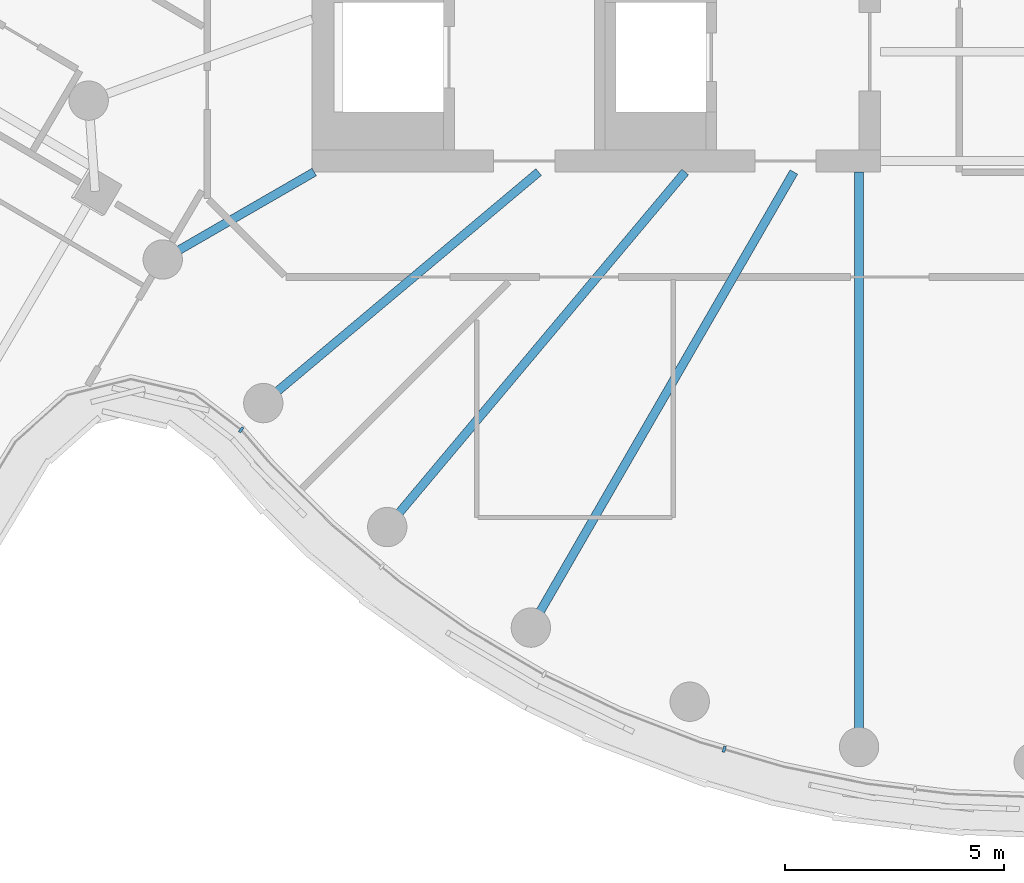
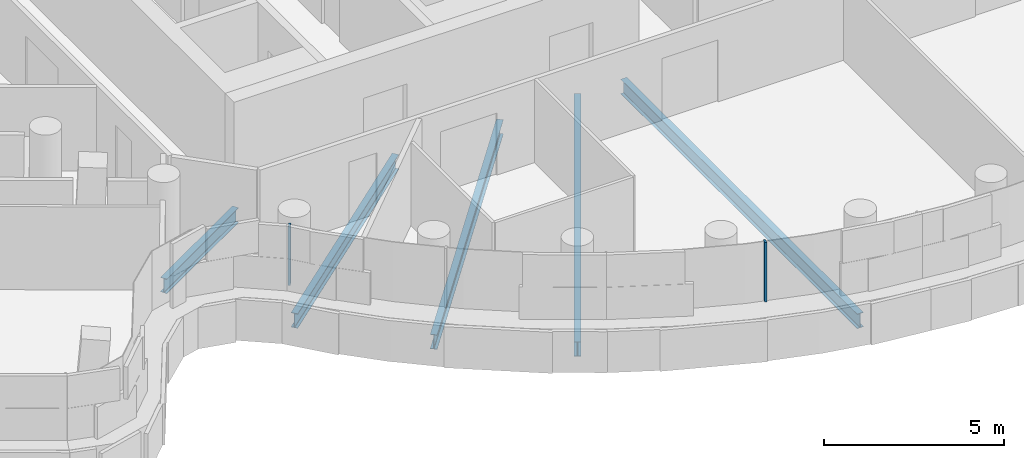
# One storey, part 3 of 26: 5 beams, 2 members, 1 element without a shape of its own.
"""IFC4 building model written with IfcOpenShell, lengths in metres."""

import ifcopenshell
import ifcopenshell.guid

model = None  # the IFC model being written
_history = None  # IfcOwnerHistory: only IFC2X3 demands one
_inside = {}  # id of a spatial element -> (the spatial element, [elements in it])
_under = {}  # id of a project, library or spatial element -> (it, [spatial elements below it])
_declared = {}  # id of a project -> (the project, [libraries it declares])
_typed = {}  # id of a type object -> (the type object, [elements of that type])
_made_of = {}  # id of a material, layer set ... -> (it, [elements and type objects made of it])


def new_model(schema):
    """Start an empty IFC model of exactly this schema.

    Asked for "IFC4X3", IfcOpenShell would pick the latest addendum, in which some entities
    have other attributes; the version numbers below select the first issue.
    IFC2X3 requires an IfcOwnerHistory on every rooted entity: one is made here for all.
    """
    global model, _history
    if schema == "IFC4X3":
        model = ifcopenshell.file(schema_version=(4, 3, 0, 0))
    else:
        model = ifcopenshell.file(schema=schema)
    _inside.clear()
    _under.clear()
    _declared.clear()
    _typed.clear()
    _made_of.clear()
    _history = None
    if model.schema == "IFC2X3":
        org = make("IfcOrganization", Name="unknown")
        user = make(
            "IfcPersonAndOrganization",
            ThePerson=make("IfcPerson", FamilyName="unknown"),
            TheOrganization=org,
        )
        app = make(
            "IfcApplication",
            ApplicationDeveloper=org,
            Version="unknown",
            ApplicationFullName="unknown",
            ApplicationIdentifier="unknown",
        )
        _history = make(
            "IfcOwnerHistory",
            OwningUser=user,
            OwningApplication=app,
            ChangeAction="ADDED",
            CreationDate=0,
        )
    return model


def make(cls, **values):
    """One entity of the class cls with the attributes given. An attribute that is None is left unset."""
    return model.create_entity(
        cls, **{name: value for name, value in values.items() if value is not None}
    )


def rooted(cls, **values):
    """An entity with a GlobalId (a new one), such as an element, a storey or a relation."""
    return make(cls, GlobalId=ifcopenshell.guid.new(), OwnerHistory=_history, **values)


def si_unit(unit_type, name, prefix=None):
    """IfcSIUnit, for example si_unit("LENGTHUNIT", "METRE", prefix="MILLI")."""
    return make("IfcSIUnit", UnitType=unit_type, Prefix=prefix, Name=name)


def assignment(units):
    """IfcUnitAssignment: the units of a project."""
    return None if units is None else make("IfcUnitAssignment", Units=units)


def point(xyz):
    """IfcCartesianPoint."""
    return None if xyz is None else make("IfcCartesianPoint", Coordinates=xyz)


def direction(xyz):
    """IfcDirection."""
    return None if xyz is None else make("IfcDirection", DirectionRatios=xyz)


def frame(location, z_axis=None, x_axis=None):
    """IfcAxis2Placement3D, a coordinate frame: its origin and axes. An axis left out is left unset."""
    return make(
        "IfcAxis2Placement3D",
        Location=point(location),
        Axis=direction(z_axis),
        RefDirection=direction(x_axis),
    )


def frame_2d(location, x_axis=None):
    """IfcAxis2Placement2D, a coordinate frame in the plane: its origin and x axis."""
    return make(
        "IfcAxis2Placement2D", Location=point(location), RefDirection=direction(x_axis)
    )


def origin():
    """The frame at (0, 0, 0) with its axes left unset."""
    return frame((0.0, 0.0, 0.0))


def origin_2d():
    """The frame at (0, 0) in the plane with its x axis left unset."""
    return frame_2d((0.0, 0.0))


def place(relative_to, where):
    """IfcLocalPlacement: puts the frame where relative to a parent placement (None: the world)."""
    return make(
        "IfcLocalPlacement", PlacementRelTo=relative_to, RelativePlacement=where
    )


def context(
    kind, dimensions, precision=None, world=None, true_north=None, identifier=None
):
    """IfcGeometricRepresentationContext, for example the 3D "Model" context."""
    return make(
        "IfcGeometricRepresentationContext",
        ContextIdentifier=identifier,
        ContextType=kind,
        CoordinateSpaceDimension=dimensions,
        Precision=precision,
        WorldCoordinateSystem=world,
        TrueNorth=true_north,
    )


def subcontext(parent, identifier, kind, view, scale=None):
    """IfcGeometricRepresentationSubContext, for example "Body" below "Model"."""
    return make(
        "IfcGeometricRepresentationSubContext",
        ContextIdentifier=identifier,
        ContextType=kind,
        ParentContext=parent,
        TargetScale=scale,
        TargetView=view,
    )


def project(units=None, contexts=None):
    """IfcProject with its units and contexts."""
    return rooted(
        "IfcProject",
        Name="project",
        RepresentationContexts=contexts,
        UnitsInContext=assignment(units),
    )


def spatial(cls, under=None, at=None, **own):
    """A site, building, storey or space (cls), placed at a placement, below another one or the project."""
    s = rooted(cls, ObjectPlacement=at, **own)
    if under is not None:
        _under.setdefault(under.id(), (under, []))[1].append(s)
    return s


def profile(cls, at=None, kind="AREA", **sizes):
    """A parametric profile (cls). Its sizes go by their IFC names, for example OverallWidth=200.0."""
    return make(cls, ProfileType=kind, Position=at, **sizes)


def rectangle(**sizes):
    """IfcRectangleProfileDef."""
    return profile("IfcRectangleProfileDef", **sizes)


def i_section(**sizes):
    """IfcIShapeProfileDef."""
    return profile("IfcIShapeProfileDef", **sizes)


def extrude(swept, where, along, depth):
    """IfcExtrudedAreaSolid: the profile swept, set in the frame where, extruded along a direction by depth."""
    return make(
        "IfcExtrudedAreaSolid",
        SweptArea=swept,
        Position=where,
        ExtrudedDirection=direction(along),
        Depth=depth,
    )


def shape(context_of_items, identifier, shape_type, items):
    """IfcShapeRepresentation: the items that make up one representation, for example the "Body"."""
    return make(
        "IfcShapeRepresentation",
        ContextOfItems=context_of_items,
        RepresentationIdentifier=identifier,
        RepresentationType=shape_type,
        Items=items,
    )


def material(Name=None, Category=None):
    """IfcMaterial."""
    return make("IfcMaterial", Name=Name, Category=Category)


def layer(
    of_material, thickness, ventilated=None, Name=None, Category=None, Priority=None
):
    """IfcMaterialLayer: one layer of a wall or slab, of a material (None: an air gap)."""
    return make(
        "IfcMaterialLayer",
        Material=of_material,
        LayerThickness=thickness,
        IsVentilated=ventilated,
        Name=Name,
        Category=Category,
        Priority=Priority,
    )


def layer_set(layers, Name=None):
    """IfcMaterialLayerSet."""
    return make("IfcMaterialLayerSet", MaterialLayers=layers, LayerSetName=Name)


def material_profile(
    of_material, cross_section, Name=None, Category=None, Priority=None
):
    """IfcMaterialProfile: a cross section and its material."""
    return make(
        "IfcMaterialProfile",
        Name=Name,
        Material=of_material,
        Profile=cross_section,
        Priority=Priority,
        Category=Category,
    )


def profile_set(profiles, Name=None, composite=None):
    """IfcMaterialProfileSet."""
    return make(
        "IfcMaterialProfileSet",
        Name=Name,
        MaterialProfiles=profiles,
        CompositeProfile=composite,
    )


def made_of(thing, what):
    """Note that an element or type object is made of a material, layer set ...; save() writes the relation."""
    if what is not None:
        _made_of.setdefault(what.id(), (what, []))[1].append(thing)
    return thing


def type_object(cls, material=None, **own):
    """A type object (cls), such as IfcWallType, which elements share."""
    return made_of(rooted(cls, **own), material)


def element(
    cls,
    number,
    at=None,
    inside=None,
    cuts=None,
    type_object=None,
    material=None,
    context=None,
    identifier="Body",
    shape_type=None,
    held_by="IfcProductDefinitionShape",
    body=None,
    shapes=None,
    **own,
):
    """One element of the class cls, such as IfcWall. Its Tag is "e" and its number.

    at: its placement. inside: the storey or other place that contains it. cuts: it is an
    opening in that element (IfcRelVoidsElement). A single representation is given by context,
    identifier, shape_type and body (its items); several are given by shapes. held_by: the class
    of the entity that holds the representations. save() writes the other relations.
    """
    e = rooted(cls, Tag="e%d" % number, ObjectPlacement=at, **own)
    if body is not None:
        shapes = [shape(context, identifier, shape_type, body)]
    if shapes is not None:
        e.Representation = make(held_by, Representations=shapes)
    if inside is not None:
        _inside.setdefault(inside.id(), (inside, []))[1].append(e)
    if cuts is not None:
        rooted(
            "IfcRelVoidsElement", RelatingBuildingElement=cuts, RelatedOpeningElement=e
        )
    if type_object is not None:
        _typed.setdefault(type_object.id(), (type_object, []))[1].append(e)
    return made_of(e, material)


def aggregate(whole, parts):
    """IfcRelAggregates: a whole, such as a stair, and the parts it consists of."""
    return rooted("IfcRelAggregates", RelatingObject=whole, RelatedObjects=parts)


def save(model, path):
    """Write the relations noted so far, then the file.

    IfcRelAggregates (storeys below a building ...), IfcRelContainedInSpatialStructure (elements
    in a storey), IfcRelDefinesByType, IfcRelAssociatesMaterial and IfcRelDeclares: one each for
    every whole, place, type object, material and project.
    """
    for whole, parts in _under.values():
        aggregate(whole, parts)
    for where, things in _inside.values():
        rooted(
            "IfcRelContainedInSpatialStructure",
            RelatedElements=things,
            RelatingStructure=where,
        )
    for kind, things in _typed.values():
        rooted("IfcRelDefinesByType", RelatedObjects=things, RelatingType=kind)
    for what, things in _made_of.values():
        rooted("IfcRelAssociatesMaterial", RelatedObjects=things, RelatingMaterial=what)
    for by, libraries in _declared.values():
        rooted("IfcRelDeclares", RelatingContext=by, RelatedDefinitions=libraries)
    model.write(path)


model = new_model("IFC4")

# Units and contexts
model_context = context("Model", 3, precision=1e-05, world=origin(), true_north=direction((0.0, 1.0)))
body_context = subcontext(model_context, "Body", "Model", "MODEL_VIEW")
ifc_project = project(units=[si_unit("LENGTHUNIT", "METRE"), si_unit("AREAUNIT", "SQUARE_METRE"), si_unit("VOLUMEUNIT", "CUBIC_METRE"), si_unit("PLANEANGLEUNIT", "RADIAN"), si_unit("MASSUNIT", "GRAM", prefix="KILO")], contexts=[model_context])

# Site, building, storey
site_placement = place(None, origin())
site = spatial("IfcSite", under=ifc_project, at=site_placement, CompositionType="ELEMENT")
building_placement = place(site_placement, origin())
building = spatial("IfcBuilding", under=site, at=building_placement, Name="Tamarind Cross Interchange Tower", CompositionType="ELEMENT")
storey_placement = place(building_placement, frame((0.0, 0.0, 248.699951171875)))
storey = spatial("IfcBuildingStorey", under=building, at=storey_placement, Name="L63", CompositionType="ELEMENT", Elevation=248.699951171875)

# Beams
ifc_material_1 = material(Name="Steel Q355B", Category="steel")
ifc_material_profile_1 = material_profile(ifc_material_1, i_section(OverallWidth=0.198974609375, OverallDepth=0.49609375, WebThickness=0.009033203125, FlangeThickness=0.013916015625, FilletRadius=0.012939453125, at=origin_2d()), Name="HN 496x199x9x14")
ifc_profile_set_1 = profile_set([ifc_material_profile_1], Name="Steel Q355B")
beam_type = type_object("IfcBeamType", Name="Composite beam HN 496x199x9x14 Q355B", PredefinedType="BEAM", material=ifc_profile_set_1)
beam_1_placement = place(storey_placement, frame((-19.918701171875, -11.5, -0.387939453125), z_axis=(0.866026010844, 0.49999894854, 0.0), x_axis=(-0.49999894854, 0.866026010844, 0.0)))
element("IfcBeam", 1, at=beam_1_placement, inside=storey, type_object=beam_type, Name="Beam HH21", PredefinedType="BEAM", context=body_context, shape_type="SweptSolid", body=[
    extrude(i_section(OverallWidth=0.198974609375, OverallDepth=0.49609375, WebThickness=0.009033203125, FlangeThickness=0.013916015625, FilletRadius=0.012939453125, at=origin_2d()), origin(), (0.0, 0.0, 1.0), 4.0),
])
beam_2_placement = place(storey_placement, frame((-17.619140625, -14.7841796875, -0.387939453125), z_axis=(0.766040580814, 0.642792212574, 0.0), x_axis=(-0.642792212574, 0.766040580814, 0.0)))
element("IfcBeam", 2, at=beam_2_placement, inside=storey, type_object=beam_type, Name="Beam HH22", PredefinedType="BEAM", context=body_context, shape_type="SweptSolid", body=[
    extrude(i_section(OverallWidth=0.198974609375, OverallDepth=0.49609375, WebThickness=0.009033203125, FlangeThickness=0.013916015625, FilletRadius=0.012939453125, at=origin_2d()), origin(), (0.0, 0.0, 1.0), 8.220703125),
])
beam_3_placement = place(storey_placement, frame((-14.7841796875, -17.619140625, -0.387939453125), z_axis=(0.642786293979, 0.766045547127, 0.0), x_axis=(-0.766045547127, 0.642786293979, 0.0)))
element("IfcBeam", 3, at=beam_3_placement, inside=storey, type_object=beam_type, Name="Beam HH23", PredefinedType="BEAM", context=body_context, shape_type="SweptSolid", body=[
    extrude(i_section(OverallWidth=0.198974609375, OverallDepth=0.49609375, WebThickness=0.009033203125, FlangeThickness=0.013916015625, FilletRadius=0.012939453125, at=origin_2d()), origin(), (0.0, 0.0, 1.0), 10.598876953125),
])
beam_4_placement = place(storey_placement, frame((-11.5, -19.918701171875, -0.387939453125), z_axis=(0.499993565836, 0.866029118519, 0.0), x_axis=(-0.866029118519, 0.499993565836, 0.0)))
element("IfcBeam", 4, at=beam_4_placement, inside=storey, type_object=beam_type, Name="Beam HH24", PredefinedType="BEAM", context=body_context, shape_type="SweptSolid", body=[
    extrude(i_section(OverallWidth=0.198974609375, OverallDepth=0.49609375, WebThickness=0.009033203125, FlangeThickness=0.013916015625, FilletRadius=0.012939453125, at=origin_2d()), origin(), (0.0, 0.0, 1.0), 12.030517578125),
])
beam_5_placement = place(storey_placement, frame((-3.993896484375, -22.650634765625, -0.387939453125), z_axis=(0.0, 1.0, 0.0), x_axis=(-1.0, 0.0, 0.0)))
element("IfcBeam", 5, at=beam_5_placement, inside=storey, type_object=beam_type, Name="Beam HH26", PredefinedType="BEAM", context=body_context, shape_type="SweptSolid", body=[
    extrude(i_section(OverallWidth=0.198974609375, OverallDepth=0.49609375, WebThickness=0.009033203125, FlangeThickness=0.013916015625, FilletRadius=0.012939453125, at=origin_2d()), origin(), (0.0, 0.0, 1.0), 13.150634765625),
])

# Curtain wall, members
ifc_material_2 = material(Name="Aluminium 6063-T6", Category="aluminium")
ifc_layer = layer(ifc_material_2, 0.139892578125)
ifc_layer_set = layer_set([ifc_layer], Name="Aluminium 6063-T6")
curtain_wall_type = type_object("IfcCurtainWallType", Name="Hotel curtain wall, 4.5 m bays", PredefinedType="NOTDEFINED", material=ifc_layer_set)
curtain_wall_placement = place(storey_placement, origin())
curtain_wall = element("IfcCurtainWall", 6, at=curtain_wall_placement, inside=storey, type_object=curtain_wall_type, Name="CWS-L63-01", PredefinedType="NOTDEFINED")
ifc_material_profile_2 = material_profile(ifc_material_2, rectangle(XDim=0.06005859375, YDim=0.139892578125, at=origin_2d()), Name="Mullion CW2")
ifc_profile_set_2 = profile_set([ifc_material_profile_2], Name="Aluminium 6063-T6")
member_type = type_object("IfcMemberType", Name="Mullion CW2", PredefinedType="MULLION", material=ifc_profile_set_2)
member_1_placement = place(storey_placement, frame((-18.126220703125, -15.394775390625, 1.400146484375), z_axis=(0.0, 0.0, 1.0), x_axis=(0.7952192151, -0.606322026596, 0.0)))
member_1 = element("IfcMember", 7, at=member_1_placement, type_object=member_type, Name="CWM-L63-01-01", PredefinedType="MULLION", context=body_context, shape_type="SweptSolid", body=[
    extrude(rectangle(XDim=0.06005859375, YDim=0.139892578125, at=origin_2d()), origin(), (0.0, 0.0, 1.0), 2.02001953125),
])
member_2_placement = place(storey_placement, frame((-7.078857421875, -22.700927734375, 1.400146484375), z_axis=(0.0, 0.0, 1.0), x_axis=(0.95964657186, -0.281208920763, 0.0)))
member_2 = element("IfcMember", 8, at=member_2_placement, type_object=member_type, Name="CWM-L63-01-04", PredefinedType="MULLION", context=body_context, shape_type="SweptSolid", body=[
    extrude(rectangle(XDim=0.06005859375, YDim=0.139892578125, at=origin_2d()), origin(), (0.0, 0.0, 1.0), 2.02001953125),
])
aggregate(curtain_wall, [member_1, member_2])

save(model, "model.ifc")
